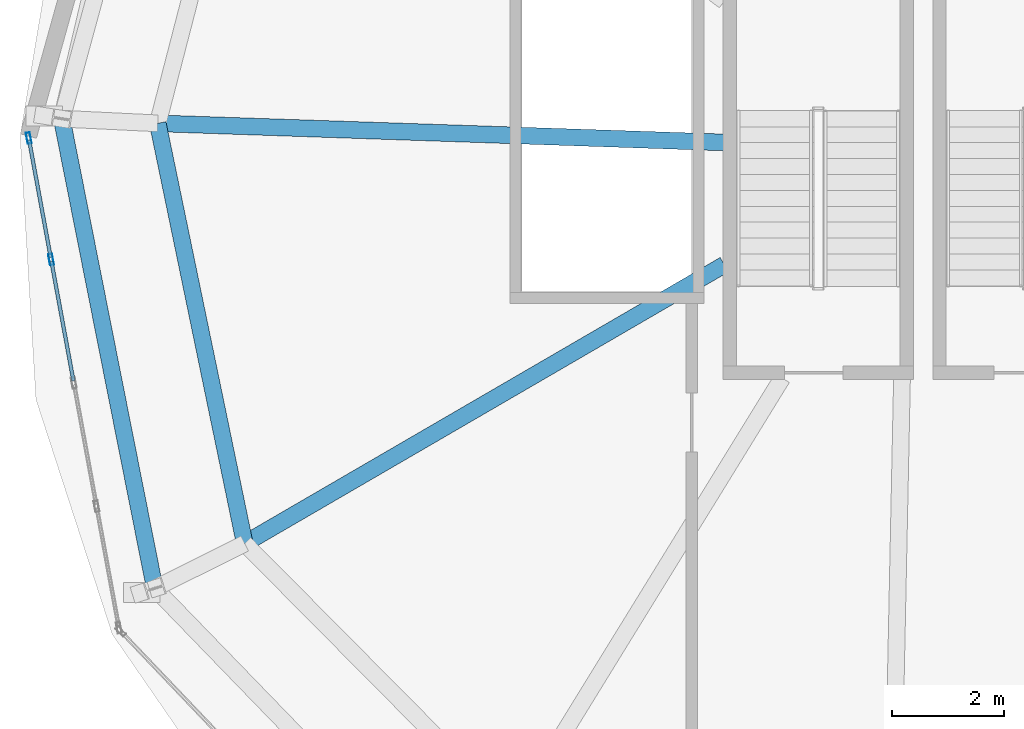
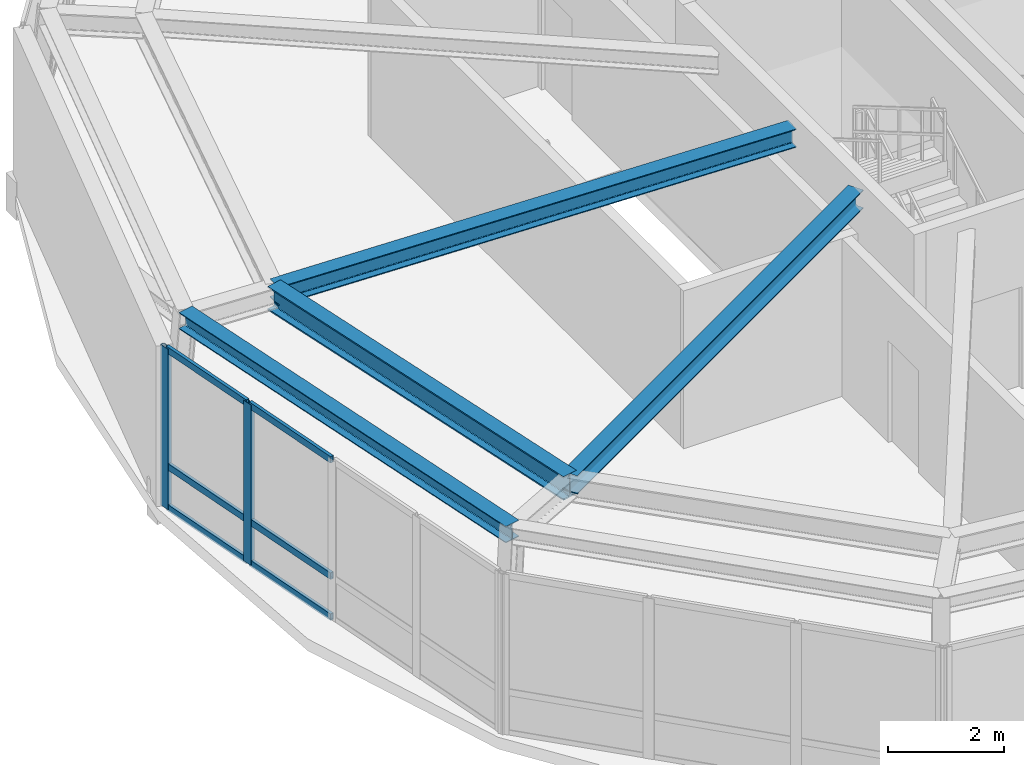
# One storey, part 3 of 14: 8 members, 4 beams, 1 element without a shape of its own.
"""IFC4 building model written with IfcOpenShell, lengths in metres."""

from ifc_helpers import new_model, si_unit, direction, frame, origin, origin_2d, place, context, subcontext, project, spatial, hollow_rectangle, i_section, extrude, material, layer, layer_set, material_profile, profile_set, type_object, element, aggregate, save


model = new_model("IFC4")

# Units and contexts
model_context = context("Model", 3, precision=1e-05, world=origin(), true_north=direction((0.0, 1.0)))
body_context = subcontext(model_context, "Body", "Model", "MODEL_VIEW")
ifc_project = project(units=[si_unit("LENGTHUNIT", "METRE"), si_unit("AREAUNIT", "SQUARE_METRE"), si_unit("VOLUMEUNIT", "CUBIC_METRE"), si_unit("PLANEANGLEUNIT", "RADIAN"), si_unit("MASSUNIT", "GRAM", prefix="KILO"), si_unit("THERMODYNAMICTEMPERATUREUNIT", "KELVIN"), si_unit("POWERUNIT", "WATT")], contexts=[model_context])

# Site, building, storey
site_placement = place(None, origin())
site = spatial("IfcSite", under=ifc_project, at=site_placement, CompositionType="ELEMENT")
building_placement = place(site_placement, origin())
building = spatial("IfcBuilding", under=site, at=building_placement, Name="Ocrelia Relay Tower", CompositionType="ELEMENT")
storey_placement = place(building_placement, frame((0.0, 0.0, 288.0)))
storey = spatial("IfcBuildingStorey", under=building, at=storey_placement, Name="L72", CompositionType="ELEMENT", Elevation=288.0)

# Beams
ifc_material_1 = material(Name="Steel S355", Category="steel")
ifc_material_profile_1 = material_profile(ifc_material_1, i_section(OverallWidth=0.300048828125, OverallDepth=0.35009765625, WebThickness=0.010009765625, FlangeThickness=0.017578125, FilletRadius=0.027099609375, at=origin_2d()), Name="HEA 360")
ifc_profile_set_1 = profile_set([ifc_material_profile_1], Name="Steel S355")
beam_type_1 = type_object("IfcBeamType", Name="BM-HEA360", PredefinedType="SPANDREL", material=ifc_profile_set_1)
beam_1_placement = place(storey_placement, frame((18.55615234375, 23.64599609375, 3.574951171875), z_axis=(0.194359931927, -0.980930281346, 0.0), x_axis=(0.980930281346, 0.194359931927, 0.0)))
element("IfcBeam", 1, at=beam_1_placement, inside=storey, type_object=beam_type_1, Name="L72 Crown Faceted Ring Beam R05", PredefinedType="SPANDREL", context=body_context, shape_type="SweptSolid", body=[
    extrude(i_section(OverallWidth=0.300048828125, OverallDepth=0.35009765625, WebThickness=0.010009765625, FlangeThickness=0.017578125, FilletRadius=0.027099609375, at=origin_2d()), origin(), (0.0, 0.0, 1.0), 8.5830078125),
])
ifc_material_profile_2 = material_profile(ifc_material_1, i_section(OverallWidth=0.300048828125, OverallDepth=0.389892578125, WebThickness=0.010986328125, FlangeThickness=0.01904296875, FilletRadius=0.027099609375, at=origin_2d()), Name="HEA 400")
ifc_profile_set_2 = profile_set([ifc_material_profile_2], Name="Steel S355")
beam_type_2 = type_object("IfcBeamType", Name="BM-HEA400", PredefinedType="SPANDREL", material=ifc_profile_set_2)
beam_2_placement = place(storey_placement, frame((20.27734375, 23.5625, 3.554931640625), z_axis=(0.999432737021, -0.033677947827, 0.0), x_axis=(0.033677947827, 0.999432737021, 0.0)))
element("IfcBeam", 2, at=beam_2_placement, inside=storey, type_object=beam_type_2, Name="L72 Crown Radial Floor Beam 05", PredefinedType="SPANDREL", context=body_context, shape_type="SweptSolid", body=[
    extrude(i_section(OverallWidth=0.300048828125, OverallDepth=0.389892578125, WebThickness=0.010986328125, FlangeThickness=0.01904296875, FilletRadius=0.027099609375, at=origin_2d()), origin(), (0.0, 0.0, 1.0), 10.16357421875),
])
beam_3_placement = place(storey_placement, frame((21.836181640625, 16.030517578125, 3.554931640625), z_axis=(0.864585313293, 0.502486055566, 0.0), x_axis=(-0.502486055566, 0.864585313293, 0.0)))
element("IfcBeam", 3, at=beam_3_placement, inside=storey, type_object=beam_type_2, Name="L72 Crown Radial Floor Beam 06", PredefinedType="SPANDREL", context=body_context, shape_type="SweptSolid", body=[
    extrude(i_section(OverallWidth=0.300048828125, OverallDepth=0.389892578125, WebThickness=0.010986328125, FlangeThickness=0.01904296875, FilletRadius=0.027099609375, at=origin_2d()), origin(), (0.0, 0.0, 1.0), 9.945556640625),
])
ifc_material_profile_3 = material_profile(ifc_material_1, i_section(OverallWidth=0.300048828125, OverallDepth=0.5, WebThickness=0.014404296875, FlangeThickness=0.028076171875, FilletRadius=0.027099609375, at=origin_2d()), Name="HEB 500")
ifc_profile_set_3 = profile_set([ifc_material_profile_3], Name="Steel S355")
beam_type_3 = type_object("IfcBeamType", Name="BM-HEB500", PredefinedType="BEAM", material=ifc_profile_set_3)
beam_4_placement = place(storey_placement, frame((20.27734375, 23.5625, 3.5), z_axis=(0.202667529725, -0.979247605254, 0.0), x_axis=(0.979247605254, 0.202667529725, 0.0)))
element("IfcBeam", 4, at=beam_4_placement, inside=storey, type_object=beam_type_3, Name="L72 Crown Step Perimeter Ring Beam SR05", PredefinedType="BEAM", context=body_context, shape_type="SweptSolid", body=[
    extrude(i_section(OverallWidth=0.300048828125, OverallDepth=0.5, WebThickness=0.014404296875, FlangeThickness=0.028076171875, FilletRadius=0.027099609375, at=origin_2d()), origin(), (0.0, 0.0, 1.0), 7.691650390625),
])

# Curtain wall, members
ifc_material_2 = material(Name="Aluminium and solar-control low-E glass", Category="aluminium")
ifc_layer = layer(ifc_material_2, 0.179931640625, Name="Aluminium and solar-control low-E glass")
ifc_layer_set = layer_set([ifc_layer], Name="Aluminium and solar-control low-E glass")
curtain_wall_type = type_object("IfcCurtainWallType", Name="CW-SYS-CROWN-PT", PredefinedType="NOTDEFINED", material=ifc_layer_set)
curtain_wall_placement = place(storey_placement, origin())
curtain_wall = element("IfcCurtainWall", 5, at=curtain_wall_placement, inside=storey, type_object=curtain_wall_type, Name="L72 Faceted Glass-Point Crown Curtain Wall 05", PredefinedType="NOTDEFINED")
ifc_material_3 = material(Name="Anodised bronze aluminium", Category="aluminium")
ifc_material_profile_4 = material_profile(ifc_material_3, hollow_rectangle(XDim=0.074951171875, YDim=0.199951171875, WallThickness=0.006103515625, at=origin_2d()), Name="CW-MUL-200x75")
ifc_profile_set_4 = profile_set([ifc_material_profile_4], Name="Anodised bronze aluminium")
member_type_1 = type_object("IfcMemberType", Name="CW-SYS-CROWN-PT-MUL", PredefinedType="MULLION", material=ifc_profile_set_4)
member_1_placement = place(storey_placement, frame((17.964599609375, 23.29931640625, 0.0), z_axis=(0.0, 0.0, 1.0), x_axis=(0.983470580695, 0.181067989736, 0.0)))
member_1 = element("IfcMember", 6, at=member_1_placement, type_object=member_type_1, Name="CW-CR mullion 1", PredefinedType="MULLION", context=body_context, shape_type="SweptSolid", body=[
    extrude(hollow_rectangle(XDim=0.074951171875, YDim=0.199951171875, WallThickness=0.006103515625, at=origin_2d()), origin(), (0.0, 0.0, 1.0), 3.389892578125),
])
member_2_placement = place(storey_placement, frame((18.365234375, 21.122802734375, 0.0), z_axis=(0.0, 0.0, 1.0), x_axis=(0.983470580695, 0.181067989736, 0.0)))
member_2 = element("IfcMember", 7, at=member_2_placement, type_object=member_type_1, Name="CW-CR mullion 2", PredefinedType="MULLION", context=body_context, shape_type="SweptSolid", body=[
    extrude(hollow_rectangle(XDim=0.074951171875, YDim=0.199951171875, WallThickness=0.006103515625, at=origin_2d()), origin(), (0.0, 0.0, 1.0), 3.389892578125),
])
ifc_material_profile_5 = material_profile(ifc_material_3, hollow_rectangle(XDim=0.06494140625, YDim=0.139892578125, WallThickness=0.0048828125, at=origin_2d()), Name="CW-TRN-140x65")
ifc_profile_set_5 = profile_set([ifc_material_profile_5], Name="Anodised bronze aluminium")
member_type_2 = type_object("IfcMemberType", Name="CW-SYS-CROWN-PT-TRN", PredefinedType="USERDEFINED", material=ifc_profile_set_5)
member_3_placement = place(storey_placement, frame((17.97119140625, 23.262451171875, 0.032470703125), z_axis=(0.181095586001, -0.983465499512, 0.0), x_axis=(0.983465499512, 0.181095586001, 0.0)))
member_3 = element("IfcMember", 8, at=member_3_placement, type_object=member_type_2, Name="CW-CR transom 1.1", ObjectType="TRANSOM", PredefinedType="USERDEFINED", context=body_context, shape_type="SweptSolid", body=[
    extrude(hollow_rectangle(XDim=0.06494140625, YDim=0.139892578125, WallThickness=0.0048828125, at=origin_2d()), origin(), (0.0, 0.0, 1.0), 2.13818359375),
])
member_4_placement = place(storey_placement, frame((17.97119140625, 23.262451171875, 0.89990234375), z_axis=(0.181095586001, -0.983465499512, 0.0), x_axis=(0.983465499512, 0.181095586001, 0.0)))
member_4 = element("IfcMember", 9, at=member_4_placement, type_object=member_type_2, Name="CW-CR transom 1.2", ObjectType="TRANSOM", PredefinedType="USERDEFINED", context=body_context, shape_type="SweptSolid", body=[
    extrude(hollow_rectangle(XDim=0.06494140625, YDim=0.139892578125, WallThickness=0.0048828125, at=origin_2d()), origin(), (0.0, 0.0, 1.0), 2.13818359375),
])
member_5_placement = place(storey_placement, frame((17.97119140625, 23.262451171875, 3.357421875), z_axis=(0.181095586001, -0.983465499512, 0.0), x_axis=(0.983465499512, 0.181095586001, 0.0)))
member_5 = element("IfcMember", 10, at=member_5_placement, type_object=member_type_2, Name="CW-CR transom 1.3", ObjectType="TRANSOM", PredefinedType="USERDEFINED", context=body_context, shape_type="SweptSolid", body=[
    extrude(hollow_rectangle(XDim=0.06494140625, YDim=0.139892578125, WallThickness=0.0048828125, at=origin_2d()), origin(), (0.0, 0.0, 1.0), 2.13818359375),
])
member_6_placement = place(storey_placement, frame((18.3720703125, 21.0859375, 0.032470703125), z_axis=(0.181028171869, -0.983477910779, 0.0), x_axis=(0.983477910779, 0.181028171869, 0.0)))
member_6 = element("IfcMember", 11, at=member_6_placement, type_object=member_type_2, Name="CW-CR transom 2.1", ObjectType="TRANSOM", PredefinedType="USERDEFINED", context=body_context, shape_type="SweptSolid", body=[
    extrude(hollow_rectangle(XDim=0.06494140625, YDim=0.139892578125, WallThickness=0.0048828125, at=origin_2d()), origin(), (0.0, 0.0, 1.0), 2.17529296875),
])
member_7_placement = place(storey_placement, frame((18.3720703125, 21.0859375, 0.89990234375), z_axis=(0.181028171869, -0.983477910779, 0.0), x_axis=(0.983477910779, 0.181028171869, 0.0)))
member_7 = element("IfcMember", 12, at=member_7_placement, type_object=member_type_2, Name="CW-CR transom 2.2", ObjectType="TRANSOM", PredefinedType="USERDEFINED", context=body_context, shape_type="SweptSolid", body=[
    extrude(hollow_rectangle(XDim=0.06494140625, YDim=0.139892578125, WallThickness=0.0048828125, at=origin_2d()), origin(), (0.0, 0.0, 1.0), 2.17529296875),
])
member_8_placement = place(storey_placement, frame((18.3720703125, 21.0859375, 3.357421875), z_axis=(0.181028171869, -0.983477910779, 0.0), x_axis=(0.983477910779, 0.181028171869, 0.0)))
member_8 = element("IfcMember", 13, at=member_8_placement, type_object=member_type_2, Name="CW-CR transom 2.3", ObjectType="TRANSOM", PredefinedType="USERDEFINED", context=body_context, shape_type="SweptSolid", body=[
    extrude(hollow_rectangle(XDim=0.06494140625, YDim=0.139892578125, WallThickness=0.0048828125, at=origin_2d()), origin(), (0.0, 0.0, 1.0), 2.17529296875),
])
aggregate(curtain_wall, [member_1, member_2, member_3, member_4, member_5, member_6, member_7, member_8])

save(model, "model.ifc")
